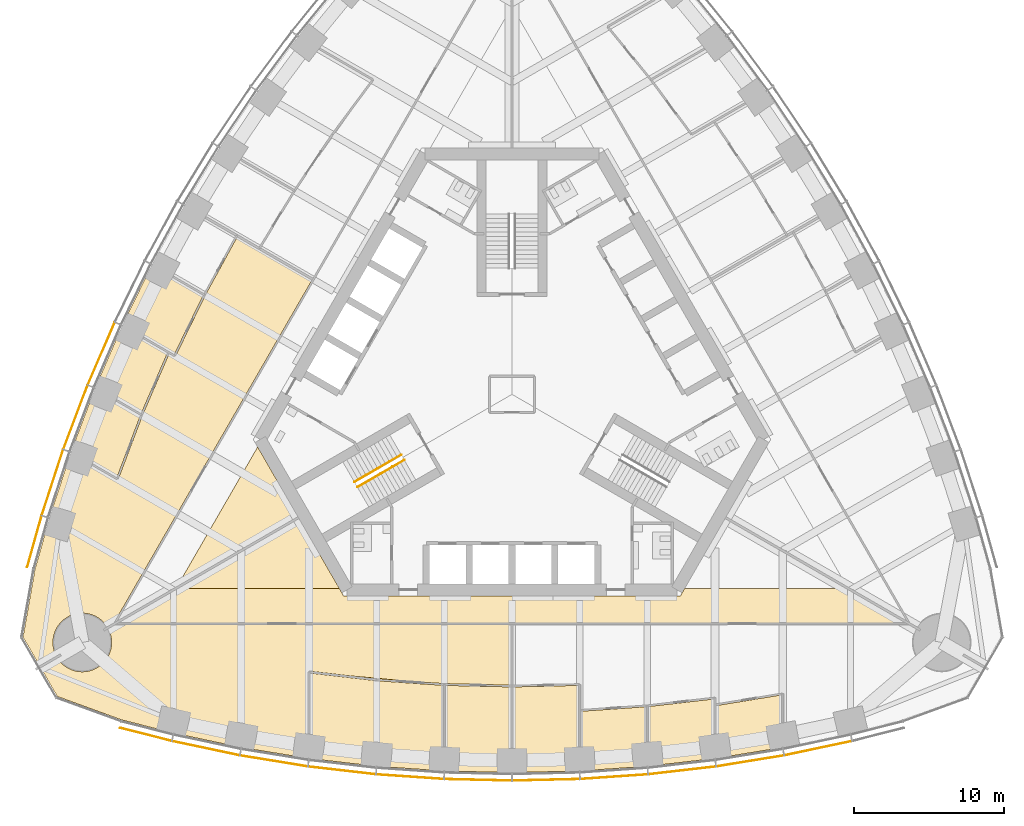
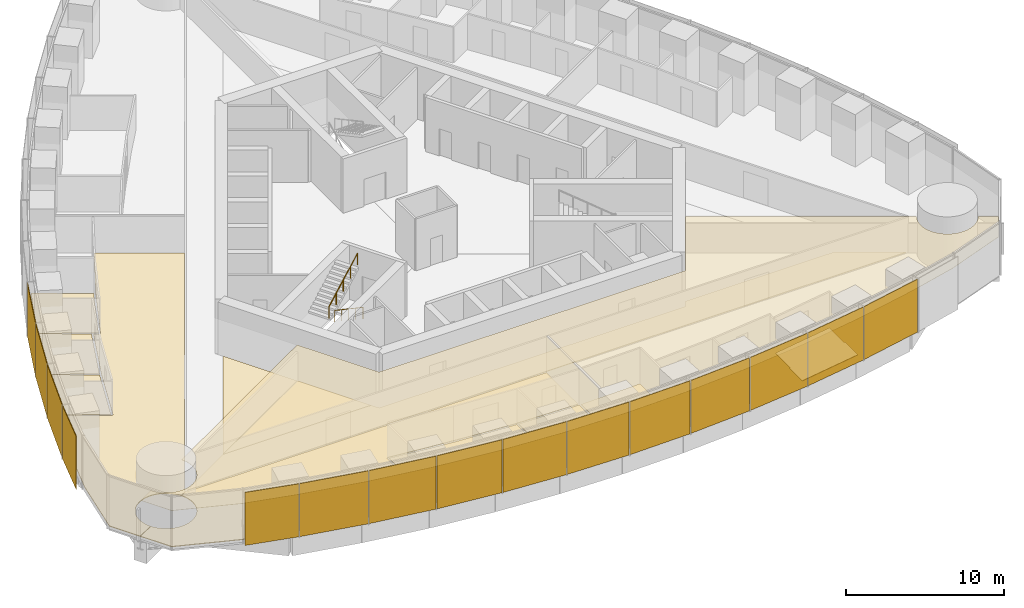
# One storey, part 15 of 19: 15 coverings, 15 shading devices, 2 railings.
"""IFC4 building model written with IfcOpenShell, lengths in metres."""

from ifc_helpers import new_model, si_unit, direction, frame, origin, origin_2d, place, context, subcontext, project, spatial, polyline, rectangle, circle, outline, extrude, material, layer, layer_set, type_object, element, save


model = new_model("IFC4")

# Units and contexts
model_context = context("Model", 3, precision=1e-05, world=origin(), true_north=direction((0.0, 1.0)))
body_context = subcontext(model_context, "Body", "Model", "MODEL_VIEW")
ifc_project = project(units=[si_unit("LENGTHUNIT", "METRE"), si_unit("AREAUNIT", "SQUARE_METRE"), si_unit("VOLUMEUNIT", "CUBIC_METRE"), si_unit("PLANEANGLEUNIT", "RADIAN"), si_unit("MASSUNIT", "GRAM", prefix="KILO")], contexts=[model_context])

# Site, building, storey
site_placement = place(None, origin())
site = spatial("IfcSite", under=ifc_project, at=site_placement, CompositionType="ELEMENT")
building_placement = place(site_placement, origin())
building = spatial("IfcBuilding", under=site, at=building_placement, Name="Trefoil Bronze Tower", CompositionType="ELEMENT")
storey_placement = place(building_placement, frame((0.0, 0.0, 193.89990234375)))
storey = spatial("IfcBuildingStorey", under=building, at=storey_placement, Name="L44", CompositionType="ELEMENT", Elevation=193.89990234375)

# Shading devices
ifc_material_1 = material(Name="Perforated bronze sheet", Category="bronze")
ifc_layer_1 = layer(ifc_material_1, 0.0400390625)
ifc_layer_set_1 = layer_set([ifc_layer_1], Name="Bronze solar screen panel")
shading_device_type = type_object("IfcShadingDeviceType", Name="Bronze solar screen panel", PredefinedType="SHUTTER", material=ifc_layer_set_1)
shading_device_1_placement = place(storey_placement, frame((-24.360107421875, -22.614501953125, 0.050048828125), z_axis=(0.0, 0.0, 1.0), x_axis=(0.968934035393, -0.247319297786, 0.0)))
element("IfcShadingDevice", 1, at=shading_device_1_placement, inside=storey, type_object=shading_device_type, Name="Solar screen CW-A L44 F1 bay 1", PredefinedType="SHUTTER", context=body_context, shape_type="SweptSolid", body=[
    extrude(rectangle(XDim=3.53369140625, YDim=0.0400390625, at=origin_2d()), origin(), (0.0, 0.0, 1.0), 4.10009765625),
])
shading_device_2_placement = place(storey_placement, frame((-20.361572265625, -23.535888671875, 0.050048828125), z_axis=(0.0, 0.0, 1.0), x_axis=(0.978394335897, -0.20674748725, 0.0)))
element("IfcShadingDevice", 2, at=shading_device_2_placement, inside=storey, type_object=shading_device_type, Name="Solar screen CW-A L44 F1 bay 2", PredefinedType="SHUTTER", context=body_context, shape_type="SweptSolid", body=[
    extrude(rectangle(XDim=4.5693359375, YDim=0.0400390625, at=origin_2d()), origin(), (0.0, 0.0, 1.0), 4.10009765625),
])
shading_device_3_placement = place(storey_placement, frame((-15.8369140625, -24.382568359375, 0.050048828125), z_axis=(0.0, 0.0, 1.0), x_axis=(0.986986549528, -0.160802832848, 0.0)))
element("IfcShadingDevice", 3, at=shading_device_3_placement, inside=storey, type_object=shading_device_type, Name="Solar screen CW-A L44 F1 bay 3", PredefinedType="SHUTTER", context=body_context, shape_type="SweptSolid", body=[
    extrude(rectangle(XDim=4.529296875, YDim=0.0400390625, at=origin_2d()), origin(), (0.0, 0.0, 1.0), 4.10009765625),
])
shading_device_4_placement = place(storey_placement, frame((-11.31201171875, -25.0126953125, 0.050048828125), z_axis=(0.0, 0.0, 1.0), x_axis=(0.993381831741, -0.114858767043, 0.0)))
element("IfcShadingDevice", 4, at=shading_device_4_placement, inside=storey, type_object=shading_device_type, Name="Solar screen CW-A L44 F1 bay 4", PredefinedType="SHUTTER", context=body_context, shape_type="SweptSolid", body=[
    extrude(rectangle(XDim=4.5, YDim=0.0400390625, at=origin_2d()), origin(), (0.0, 0.0, 1.0), 4.10009765625),
])
shading_device_5_placement = place(storey_placement, frame((-6.787109375, -25.430419921875, 0.050048828125), z_axis=(0.0, 0.0, 1.0), x_axis=(0.99762252804, -0.068915103905, 0.0)))
element("IfcShadingDevice", 5, at=shading_device_5_placement, inside=storey, type_object=shading_device_type, Name="Solar screen CW-A L44 F1 bay 5", PredefinedType="SHUTTER", context=body_context, shape_type="SweptSolid", body=[
    extrude(rectangle(XDim=4.480712890625, YDim=0.0400390625, at=origin_2d()), origin(), (0.0, 0.0, 1.0), 4.10009765625),
])
for number, where, z_axis, x_axis, name in (
    (6, (-2.262451171875, -25.638671875, 0.050048828125), (0.0, 0.0, 1.0), (0.999736116243, -0.022971675577, 0.0), "Solar screen CW-A L44 F1 bay 6"),
    (7, (2.262451171875, -25.638671875, 0.050048828125), (0.0, 0.0, 1.0), (0.999736116243, 0.022971675577, 0.0), "Solar screen CW-A L44 F1 bay 7"),
):
    element("IfcShadingDevice", number, at=place(storey_placement, frame(where, z_axis=z_axis, x_axis=x_axis)), inside=storey, type_object=shading_device_type, Name=name, PredefinedType="SHUTTER", context=body_context, shape_type="SweptSolid", body=[
        extrude(rectangle(XDim=4.47119140625, YDim=0.0400390625, at=origin_2d()), origin(), (0.0, 0.0, 1.0), 4.10009765625),
    ])
shading_device_6_placement = place(storey_placement, frame((6.787109375, -25.430419921875, 0.050048828125), z_axis=(0.0, 0.0, 1.0), x_axis=(0.99762252804, 0.068915103905, 0.0)))
element("IfcShadingDevice", 8, at=shading_device_6_placement, inside=storey, type_object=shading_device_type, Name="Solar screen CW-A L44 F1 bay 8", PredefinedType="SHUTTER", context=body_context, shape_type="SweptSolid", body=[
    extrude(rectangle(XDim=4.480712890625, YDim=0.0400390625, at=origin_2d()), origin(), (0.0, 0.0, 1.0), 4.10009765625),
])
shading_device_7_placement = place(storey_placement, frame((11.31201171875, -25.0126953125, 0.050048828125), z_axis=(0.0, 0.0, 1.0), x_axis=(0.993381831741, 0.114858767043, 0.0)))
element("IfcShadingDevice", 9, at=shading_device_7_placement, inside=storey, type_object=shading_device_type, Name="Solar screen CW-A L44 F1 bay 9", PredefinedType="SHUTTER", context=body_context, shape_type="SweptSolid", body=[
    extrude(rectangle(XDim=4.5, YDim=0.0400390625, at=origin_2d()), origin(), (0.0, 0.0, 1.0), 4.10009765625),
])
shading_device_8_placement = place(storey_placement, frame((15.8369140625, -24.382568359375, 0.050048828125), z_axis=(0.0, 0.0, 1.0), x_axis=(0.986986549528, 0.160802832848, 0.0)))
element("IfcShadingDevice", 10, at=shading_device_8_placement, inside=storey, type_object=shading_device_type, Name="Solar screen CW-A L44 F1 bay 10", PredefinedType="SHUTTER", context=body_context, shape_type="SweptSolid", body=[
    extrude(rectangle(XDim=4.529296875, YDim=0.0400390625, at=origin_2d()), origin(), (0.0, 0.0, 1.0), 4.10009765625),
])
shading_device_9_placement = place(storey_placement, frame((20.361572265625, -23.535888671875, 0.050048828125), z_axis=(0.0, 0.0, 1.0), x_axis=(0.978394335897, 0.20674748725, 0.0)))
element("IfcShadingDevice", 11, at=shading_device_9_placement, inside=storey, type_object=shading_device_type, Name="Solar screen CW-A L44 F1 bay 11", PredefinedType="SHUTTER", context=body_context, shape_type="SweptSolid", body=[
    extrude(rectangle(XDim=4.5693359375, YDim=0.0400390625, at=origin_2d()), origin(), (0.0, 0.0, 1.0), 4.10009765625),
])
shading_device_10_placement = place(storey_placement, frame((-27.317626953125, 2.709716796875, 0.050048828125), z_axis=(0.0, 0.0, 1.0), x_axis=(-0.397220305764, -0.917723285467, 0.0)))
element("IfcShadingDevice", 12, at=shading_device_10_placement, inside=storey, type_object=shading_device_type, Name="Solar screen CW-A L44 F3 bay 9", PredefinedType="SHUTTER", context=body_context, shape_type="SweptSolid", body=[
    extrude(rectangle(XDim=4.5, YDim=0.0400390625, at=origin_2d()), origin(), (0.0, 0.0, 1.0), 4.10009765625),
])
shading_device_11_placement = place(storey_placement, frame((-29.0341796875, -1.52392578125, 0.050048828125), z_axis=(0.0, 0.0, 1.0), x_axis=(-0.354233936517, -0.935156841508, 0.0)))
element("IfcShadingDevice", 13, at=shading_device_11_placement, inside=storey, type_object=shading_device_type, Name="Solar screen CW-A L44 F3 bay 10", PredefinedType="SHUTTER", context=body_context, shape_type="SweptSolid", body=[
    extrude(rectangle(XDim=4.529296875, YDim=0.0400390625, at=origin_2d()), origin(), (0.0, 0.0, 1.0), 4.10009765625),
])
shading_device_12_placement = place(storey_placement, frame((-30.5634765625, -5.86572265625, 0.050048828125), z_axis=(0.0, 0.0, 1.0), x_axis=(-0.310148591821, -0.950688093431, 0.0)))
element("IfcShadingDevice", 14, at=shading_device_12_placement, inside=storey, type_object=shading_device_type, Name="Solar screen CW-A L44 F3 bay 11", PredefinedType="SHUTTER", context=body_context, shape_type="SweptSolid", body=[
    extrude(rectangle(XDim=4.5693359375, YDim=0.0400390625, at=origin_2d()), origin(), (0.0, 0.0, 1.0), 4.10009765625),
])
shading_device_13_placement = place(storey_placement, frame((-31.764892578125, -9.7890625, 0.050048828125), z_axis=(0.0, 0.0, 1.0), x_axis=(-0.270282222968, -0.962781138134, 0.0)))
element("IfcShadingDevice", 15, at=shading_device_13_placement, inside=storey, type_object=shading_device_type, Name="Solar screen CW-A L44 F3 bay 12", PredefinedType="SHUTTER", context=body_context, shape_type="SweptSolid", body=[
    extrude(rectangle(XDim=3.53369140625, YDim=0.0400390625, at=origin_2d()), origin(), (0.0, 0.0, 1.0), 4.10009765625),
])

# Railings
ifc_material_2 = material(Name="Steel handrail", Category="steel")
railing_type = type_object("IfcRailingType", Name="Handrail 900", PredefinedType="HANDRAIL", material=ifc_material_2)
railing_1_placement = place(storey_placement, frame((-7.166015625, -4.3681640625, 0.16162109375)))
element("IfcRailing", 16, at=railing_1_placement, inside=storey, type_object=railing_type, Name="Handrail ST3 flight 1 L44", PredefinedType="HANDRAIL", context=body_context, shape_type="SweptSolid", body=[
    extrude(circle(Radius=0.02392578125, at=origin_2d()), frame((0.0, 0.0, 0.8759765625), z_axis=(-0.76250339821, -0.440245697338, 0.474101564745), x_axis=(0.500012057535, -0.866018442252, 0.0)), (0.0, 0.0, 1.0), 4.088623046875),
    extrude(circle(Radius=0.02099609375, at=origin_2d()), origin(), (0.0, 0.0, 1.0), 0.851806640625),
    extrude(circle(Radius=0.02099609375, at=origin_2d()), frame((-0.779296875, -0.449951171875, 0.484619140625)), (0.0, 0.0, 1.0), 0.851806640625),
    extrude(circle(Radius=0.02099609375, at=origin_2d()), frame((-1.558837890625, -0.89990234375, 0.96923828125)), (0.0, 0.0, 1.0), 0.851806640625),
    extrude(circle(Radius=0.02099609375, at=origin_2d()), frame((-2.33837890625, -1.35009765625, 1.453857421875)), (0.0, 0.0, 1.0), 0.851806640625),
    extrude(circle(Radius=0.02099609375, at=origin_2d()), frame((-3.11767578125, -1.800048828125, 1.9384765625)), (0.0, 0.0, 1.0), 0.851806640625),
])
railing_2_placement = place(storey_placement, frame((-10.483642578125, -5.82177734375, 2.26171875)))
element("IfcRailing", 17, at=railing_2_placement, inside=storey, type_object=railing_type, Name="Handrail ST3 flight 2 L44", PredefinedType="HANDRAIL", context=body_context, shape_type="SweptSolid", body=[
    extrude(circle(Radius=0.02392578125, at=origin_2d()), frame((0.0, 0.0, 0.8759765625), z_axis=(0.76250339821, 0.440245697338, 0.474101564745), x_axis=(-0.500012057535, 0.866018442252, 0.0)), (0.0, 0.0, 1.0), 4.088623046875),
    extrude(circle(Radius=0.02099609375, at=origin_2d()), origin(), (0.0, 0.0, 1.0), 0.851806640625),
    extrude(circle(Radius=0.02099609375, at=origin_2d()), frame((0.779296875, 0.449951171875, 0.484619140625)), (0.0, 0.0, 1.0), 0.851806640625),
    extrude(circle(Radius=0.02099609375, at=origin_2d()), frame((1.558837890625, 0.89990234375, 0.96923828125)), (0.0, 0.0, 1.0), 0.851806640625),
    extrude(circle(Radius=0.02099609375, at=origin_2d()), frame((2.33837890625, 1.35009765625, 1.453857421875)), (0.0, 0.0, 1.0), 0.851806640625),
    extrude(circle(Radius=0.02099609375, at=origin_2d()), frame((3.11767578125, 1.800048828125, 1.9384765625)), (0.0, 0.0, 1.0), 0.851806640625),
])

# Coverings
ifc_material_3 = material(Name="Acoustic ceiling panels", Category="mineral fibre")
ifc_layer_2 = layer(ifc_material_3, 0.02001953125)
ifc_layer_set_2 = layer_set([ifc_layer_2], Name="Office ceiling 20")
covering_type_1 = type_object("IfcCoveringType", Name="Office ceiling 20", PredefinedType="CEILING", material=ifc_layer_set_2)
covering_1_placement = place(storey_placement, frame((0.0, 0.0, 2.900146484375)))
element("IfcCovering", 18, at=covering_1_placement, inside=storey, type_object=covering_type_1, Name="Ceiling L44 Open-plan office F1", PredefinedType="CEILING", context=body_context, shape_type="SweptSolid", body=[
    extrude(outline(polyline([(-30.2001953125, -17.58349609375), (-30.14501953125, -17.66162109375), (-30.086181640625, -17.737060546875), (-30.023681640625, -17.8095703125), (-29.957763671875, -17.87890625), (-29.888427734375, -17.94482421875), (-29.81591796875, -18.00732421875), (-29.740478515625, -18.06640625), (-29.662109375, -18.121337890625), (-29.581298828125, -18.172607421875), (-29.498046875, -18.2197265625), (-29.41259765625, -18.2626953125), (-29.3251953125, -18.301513671875), (-29.23583984375, -18.3359375), (-29.14501953125, -18.365966796875), (-29.052490234375, -18.3916015625), (-28.959228515625, -18.41259765625), (-28.864990234375, -18.428955078125), (-28.77001953125, -18.440673828125), (-28.674560546875, -18.44775390625), (-28.578857421875, -18.449951171875), (-28.483154296875, -18.44775390625), (-28.3876953125, -18.440673828125), (-28.292724609375, -18.428955078125), (-28.198486328125, -18.41259765625), (-28.10498046875, -18.3916015625), (-28.0126953125, -18.365966796875), (-27.921875, -18.3359375), (-27.83251953125, -18.301513671875), (-27.7451171875, -18.2626953125), (-27.65966796875, -18.2197265625), (-27.576416015625, -18.172607421875), (-27.49560546875, -18.121337890625), (-27.417236328125, -18.06640625), (-27.341796875, -18.00732421875), (-27.269287109375, -17.94482421875), (-27.199951171875, -17.87890625), (-27.134033203125, -17.8095703125), (-27.071533203125, -17.737060546875), (-27.0126953125, -17.66162109375), (-26.95751953125, -17.58349609375), (-26.90625, -17.50244140625), (-26.859130859375, -17.419189453125), (-26.816162109375, -17.333740234375), (-26.77734375, -17.24609375), (-26.742919921875, -17.156982421875), (-26.712890625, -17.066162109375), (-26.687255859375, -16.973876953125), (-26.666259765625, -16.88037109375), (-26.64990234375, -16.7861328125), (-26.63818359375, -16.691162109375), (-26.631103515625, -16.595703125), (-26.62890625, -16.5), (-26.631103515625, -16.404296875), (-26.63818359375, -16.308837890625), (-26.64990234375, -16.2138671875), (-26.666259765625, -16.11962890625), (-26.687255859375, -16.026123046875), (-26.712890625, -15.933837890625), (-26.742919921875, -15.843017578125), (-26.77734375, -15.75390625), (-26.816162109375, -15.666259765625), (-26.859130859375, -15.580810546875), (-26.884765625, -15.535400390625), (-14.19970703125, -8.205322265625), (-11.20068359375, -13.39990234375), (11.20068359375, -13.39990234375), (14.19970703125, -8.205322265625), (26.884765625, -15.535400390625), (26.859130859375, -15.580810546875), (26.816162109375, -15.666259765625), (26.77734375, -15.75390625), (26.742919921875, -15.843017578125), (26.712890625, -15.933837890625), (26.687255859375, -16.026123046875), (26.666259765625, -16.11962890625), (26.64990234375, -16.2138671875), (26.63818359375, -16.308837890625), (26.631103515625, -16.404296875), (26.62890625, -16.5), (26.631103515625, -16.595703125), (26.63818359375, -16.691162109375), (26.64990234375, -16.7861328125), (26.666259765625, -16.88037109375), (26.687255859375, -16.973876953125), (26.712890625, -17.066162109375), (26.742919921875, -17.156982421875), (26.77734375, -17.24609375), (26.816162109375, -17.333740234375), (26.859130859375, -17.419189453125), (26.90625, -17.50244140625), (26.95751953125, -17.58349609375), (27.0126953125, -17.66162109375), (27.071533203125, -17.737060546875), (27.134033203125, -17.8095703125), (27.199951171875, -17.87890625), (27.269287109375, -17.94482421875), (27.341796875, -18.00732421875), (27.417236328125, -18.06640625), (27.49560546875, -18.121337890625), (27.576416015625, -18.172607421875), (27.65966796875, -18.2197265625), (27.7451171875, -18.2626953125), (27.83251953125, -18.301513671875), (27.921875, -18.3359375), (28.0126953125, -18.365966796875), (28.10498046875, -18.3916015625), (28.198486328125, -18.41259765625), (28.292724609375, -18.428955078125), (28.3876953125, -18.440673828125), (28.483154296875, -18.44775390625), (28.578857421875, -18.449951171875), (28.674560546875, -18.44775390625), (28.77001953125, -18.440673828125), (28.864990234375, -18.428955078125), (28.959228515625, -18.41259765625), (29.052490234375, -18.3916015625), (29.14501953125, -18.365966796875), (29.23583984375, -18.3359375), (29.3251953125, -18.301513671875), (29.41259765625, -18.2626953125), (29.498046875, -18.2197265625), (29.581298828125, -18.172607421875), (29.662109375, -18.121337890625), (29.740478515625, -18.06640625), (29.81591796875, -18.00732421875), (29.888427734375, -17.94482421875), (29.957763671875, -17.87890625), (30.023681640625, -17.8095703125), (30.086181640625, -17.737060546875), (30.14501953125, -17.66162109375), (30.2001953125, -17.58349609375), (30.2607421875, -17.486083984375), (31.37158203125, -18.1279296875), (30.23828125, -20.0908203125), (25.952880859375, -21.650634765625), (22.5, -22.531982421875), (18.0, -23.48291015625), (13.5, -24.216064453125), (9.0, -24.736328125), (4.5, -25.047119140625), (0.0, -25.150634765625), (-4.5, -25.047119140625), (-9.0, -24.736328125), (-13.5, -24.216064453125), (-18.0, -23.48291015625), (-22.5, -22.531982421875), (-25.952880859375, -21.650634765625), (-30.23828125, -20.0908203125), (-31.37158203125, -18.1279296875), (-30.2607421875, -17.486083984375), (-30.2001953125, -17.58349609375)])), origin(), (0.0, 0.0, 1.0), 0.02001953125),
])
ifc_material_4 = material(Name="Raised access floor panels", Category="steel")
ifc_layer_3 = layer(ifc_material_4, 0.050048828125)
ifc_layer_set_3 = layer_set([ifc_layer_3], Name="Raised access floor 150")
covering_type_2 = type_object("IfcCoveringType", Name="Raised access floor 150", PredefinedType="FLOORING", material=ifc_layer_set_3)
covering_2_placement = place(storey_placement, frame((0.0, 0.0, 0.10009765625)))
element("IfcCovering", 19, at=covering_2_placement, inside=storey, type_object=covering_type_2, Name="Raised floor L44 Kitchen and breakout F1", PredefinedType="FLOORING", context=body_context, shape_type="SweptSolid", body=[
    extrude(outline(polyline([(-9.0, -24.736328125), (-13.5, -24.216064453125), (-13.5, -22.570556640625), (-13.43994140625, -22.570556640625), (-13.43994140625, -18.533447265625), (-9.0068359375, -19.0458984375), (-9.0, -18.986328125), (-9.004150390625, -19.046142578125), (-4.56005859375, -19.353271484375), (-4.56005859375, -23.41552734375), (-4.5, -23.41552734375), (-4.5, -25.047119140625), (-9.0, -24.736328125)])), origin(), (0.0, 0.0, 1.0), 0.050048828125),
])
covering_3_placement = place(storey_placement, frame((0.0, 0.0, 0.10009765625)))
element("IfcCovering", 20, at=covering_3_placement, inside=storey, type_object=covering_type_2, Name="Raised floor L44 Meeting room F1", PredefinedType="FLOORING", context=body_context, shape_type="SweptSolid", body=[
    extrude(outline(polyline([(0.0, -25.150634765625), (-4.5, -25.047119140625), (-4.5, -23.41552734375), (-4.43994140625, -23.41552734375), (-4.43994140625, -19.358642578125), (-0.074951171875, -19.458984375), (-0.074951171875, -23.5205078125), (0.0, -23.5205078125), (0.0, -25.150634765625)])), origin(), (0.0, 0.0, 1.0), 0.050048828125),
])
covering_4_placement = place(storey_placement, frame((0.0, 0.0, 0.10009765625)))
element("IfcCovering", 21, at=covering_4_placement, inside=storey, type_object=covering_type_2, Name="Raised floor L44 Meeting room F1", PredefinedType="FLOORING", context=body_context, shape_type="SweptSolid", body=[
    extrude(outline(polyline([(4.5, -25.047119140625), (0.0, -25.150634765625), (0.0, -23.5205078125), (0.074951171875, -23.5205078125), (0.074951171875, -19.458984375), (4.43994140625, -19.358642578125), (4.43994140625, -23.41552734375), (4.5, -23.41552734375), (4.5, -25.047119140625)])), origin(), (0.0, 0.0, 1.0), 0.050048828125),
])
covering_5_placement = place(storey_placement, frame((0.0, 0.0, 0.10009765625)))
element("IfcCovering", 22, at=covering_5_placement, inside=storey, type_object=covering_type_2, Name="Raised floor L44 Focus room F1", PredefinedType="FLOORING", context=body_context, shape_type="SweptSolid", body=[
    extrude(outline(polyline([(9.0, -24.736328125), (4.5, -25.047119140625), (4.5, -23.41552734375), (4.56005859375, -23.41552734375), (4.56005859375, -21.078125), (8.93994140625, -20.775634765625), (8.93994140625, -23.099609375), (9.0, -23.099609375), (9.0, -24.736328125)])), origin(), (0.0, 0.0, 1.0), 0.050048828125),
])
covering_6_placement = place(storey_placement, frame((0.0, 0.0, 0.10009765625)))
element("IfcCovering", 23, at=covering_6_placement, inside=storey, type_object=covering_type_2, Name="Raised floor L44 Focus room F1", PredefinedType="FLOORING", context=body_context, shape_type="SweptSolid", body=[
    extrude(outline(polyline([(13.5, -24.216064453125), (9.0, -24.736328125), (9.0, -23.099609375), (9.06005859375, -23.099609375), (9.06005859375, -20.764892578125), (13.43994140625, -20.25830078125), (13.43994140625, -22.570556640625), (13.5, -22.570556640625), (13.5, -24.216064453125)])), origin(), (0.0, 0.0, 1.0), 0.050048828125),
])
covering_7_placement = place(storey_placement, frame((0.0, 0.0, 0.10009765625)))
element("IfcCovering", 24, at=covering_7_placement, inside=storey, type_object=covering_type_2, Name="Raised floor L44 Print and store room F1", PredefinedType="FLOORING", context=body_context, shape_type="SweptSolid", body=[
    extrude(outline(polyline([(18.0, -23.48291015625), (13.5, -24.216064453125), (13.5, -22.570556640625), (13.56005859375, -22.570556640625), (13.56005859375, -20.7021484375), (17.93994140625, -19.988525390625), (17.93994140625, -21.82470703125), (18.0, -21.82470703125), (18.0, -23.48291015625)])), origin(), (0.0, 0.0, 1.0), 0.050048828125),
])
covering_8_placement = place(storey_placement, frame((0.0, 0.0, 0.10009765625)))
element("IfcCovering", 25, at=covering_8_placement, inside=storey, type_object=covering_type_2, Name="Raised floor L44 Corridor F1", PredefinedType="FLOORING", context=body_context, shape_type="SweptSolid", body=[
    extrude(outline(polyline([(-26.304443359375, -15.199951171875), (-22.32421875, -12.89990234375), (-11.4892578125, -12.89990234375), (-11.20068359375, -13.39990234375), (11.20068359375, -13.39990234375), (11.4892578125, -12.89990234375), (22.32421875, -12.89990234375), (26.304443359375, -15.199951171875), (-26.304443359375, -15.199951171875)])), origin(), (0.0, 0.0, 1.0), 0.050048828125),
])
covering_9_placement = place(storey_placement, frame((0.0, 0.0, 0.10009765625)))
element("IfcCovering", 26, at=covering_9_placement, inside=storey, type_object=covering_type_2, Name="Raised floor L44 Open-plan office F1", PredefinedType="FLOORING", context=body_context, shape_type="SweptSolid", body=[
    extrude(outline(polyline([(-26.77734375, -15.75390625), (-26.816162109375, -15.666259765625), (-26.859130859375, -15.580810546875), (-26.884765625, -15.535400390625), (-26.398193359375, -15.254150390625), (-26.398193359375, -15.320068359375), (-0.074951171875, -15.320068359375), (-0.074951171875, -19.3388671875), (-4.497314453125, -19.2373046875), (-7.084228515625, -19.05859375), (-10.90478515625, -18.705810546875), (-13.4931640625, -18.406494140625), (-13.5, -18.466064453125), (-13.56005859375, -18.466064453125), (-13.56005859375, -22.570556640625), (-13.5, -22.570556640625), (-13.5, -24.216064453125), (-18.0, -23.48291015625), (-22.5, -22.531982421875), (-25.952880859375, -21.650634765625), (-30.23828125, -20.0908203125), (-31.37158203125, -18.1279296875), (-30.2607421875, -17.486083984375), (-30.2001953125, -17.58349609375), (-30.14501953125, -17.66162109375), (-30.086181640625, -17.737060546875), (-30.023681640625, -17.8095703125), (-29.957763671875, -17.87890625), (-29.888427734375, -17.94482421875), (-29.81591796875, -18.00732421875), (-29.740478515625, -18.06640625), (-29.662109375, -18.121337890625), (-29.581298828125, -18.172607421875), (-29.498046875, -18.2197265625), (-29.41259765625, -18.2626953125), (-29.3251953125, -18.301513671875), (-29.23583984375, -18.3359375), (-29.14501953125, -18.365966796875), (-29.052490234375, -18.3916015625), (-28.959228515625, -18.41259765625), (-28.864990234375, -18.428955078125), (-28.77001953125, -18.440673828125), (-28.674560546875, -18.44775390625), (-28.578857421875, -18.449951171875), (-28.483154296875, -18.44775390625), (-28.3876953125, -18.440673828125), (-28.292724609375, -18.428955078125), (-28.198486328125, -18.41259765625), (-28.10498046875, -18.3916015625), (-28.0126953125, -18.365966796875), (-27.921875, -18.3359375), (-27.83251953125, -18.301513671875), (-27.7451171875, -18.2626953125), (-27.65966796875, -18.2197265625), (-27.576416015625, -18.172607421875), (-27.49560546875, -18.121337890625), (-27.417236328125, -18.06640625), (-27.341796875, -18.00732421875), (-27.269287109375, -17.94482421875), (-27.199951171875, -17.87890625), (-27.134033203125, -17.8095703125), (-27.071533203125, -17.737060546875), (-27.0126953125, -17.66162109375), (-26.95751953125, -17.58349609375), (-26.90625, -17.50244140625), (-26.859130859375, -17.419189453125), (-26.816162109375, -17.333740234375), (-26.77734375, -17.24609375), (-26.742919921875, -17.156982421875), (-26.712890625, -17.066162109375), (-26.687255859375, -16.973876953125), (-26.666259765625, -16.88037109375), (-26.64990234375, -16.7861328125), (-26.63818359375, -16.691162109375), (-26.631103515625, -16.595703125), (-26.62890625, -16.5), (-26.631103515625, -16.404296875), (-26.63818359375, -16.308837890625), (-26.64990234375, -16.2138671875), (-26.666259765625, -16.11962890625), (-26.687255859375, -16.026123046875), (-26.712890625, -15.933837890625), (-26.742919921875, -15.843017578125), (-26.77734375, -15.75390625)])), origin(), (0.0, 0.0, 1.0), 0.050048828125),
])
covering_10_placement = place(storey_placement, frame((0.0, 0.0, 0.10009765625)))
element("IfcCovering", 27, at=covering_10_placement, inside=storey, type_object=covering_type_2, Name="Raised floor L44 Open-plan office F1", PredefinedType="FLOORING", context=body_context, shape_type="SweptSolid", body=[
    extrude(outline(polyline([(-14.19970703125, -8.205322265625), (-11.4892578125, -12.89990234375), (-22.32421875, -12.89990234375), (-14.19970703125, -8.205322265625)])), origin(), (0.0, 0.0, 1.0), 0.050048828125),
])
covering_11_placement = place(storey_placement, frame((0.0, 0.0, 0.10009765625)))
element("IfcCovering", 28, at=covering_11_placement, inside=storey, type_object=covering_type_2, Name="Raised floor L44 Focus room F3", PredefinedType="FLOORING", context=body_context, shape_type="SweptSolid", body=[
    extrude(outline(polyline([(-25.92236328125, 4.573974609375), (-23.94140625, 8.62646484375), (-22.5283203125, 7.810546875), (-22.558349609375, 7.7587890625), (-20.5341796875, 6.590087890625), (-22.46240234375, 2.6455078125), (-24.474609375, 3.8076171875), (-24.504638671875, 3.755615234375), (-25.92236328125, 4.573974609375)])), origin(), (0.0, 0.0, 1.0), 0.050048828125),
])
covering_12_placement = place(storey_placement, frame((0.0, 0.0, 0.10009765625)))
element("IfcCovering", 29, at=covering_12_placement, inside=storey, type_object=covering_type_2, Name="Raised floor L44 Print and store room F3", PredefinedType="FLOORING", context=body_context, shape_type="SweptSolid", body=[
    extrude(outline(polyline([(-27.7216796875, 0.416748046875), (-25.92236328125, 4.573974609375), (-24.504638671875, 3.755615234375), (-24.53466796875, 3.70361328125), (-22.911376953125, 2.76611328125), (-24.66259765625, -1.2802734375), (-26.2666015625, -0.354248046875), (-26.296630859375, -0.406005859375), (-27.7216796875, 0.416748046875)])), origin(), (0.0, 0.0, 1.0), 0.050048828125),
])
covering_13_placement = place(storey_placement, frame((0.0, 0.0, 0.10009765625)))
element("IfcCovering", 30, at=covering_13_placement, inside=storey, type_object=covering_type_2, Name="Raised floor L44 Comms room F3", PredefinedType="FLOORING", context=body_context, shape_type="SweptSolid", body=[
    extrude(outline(polyline([(-29.3369140625, -3.846923828125), (-27.7216796875, 0.416748046875), (-26.296630859375, -0.406005859375), (-26.32666015625, -0.4580078125), (-24.70849609375, -1.392333984375), (-26.280517578125, -5.542236328125), (-27.870849609375, -4.6240234375), (-27.90087890625, -4.676025390625), (-29.3369140625, -3.846923828125)])), origin(), (0.0, 0.0, 1.0), 0.050048828125),
])
covering_14_placement = place(storey_placement, frame((0.0, 0.0, 0.10009765625)))
element("IfcCovering", 31, at=covering_14_placement, inside=storey, type_object=covering_type_2, Name="Raised floor L44 Open-plan office F3", PredefinedType="FLOORING", context=body_context, shape_type="SweptSolid", body=[
    extrude(outline(polyline([(-31.385009765625, -18.1044921875), (-32.518310546875, -16.1416015625), (-31.7265625, -11.650634765625), (-30.76318359375, -8.219482421875), (-29.3369140625, -3.846923828125), (-27.90087890625, -4.676025390625), (-27.930908203125, -4.72802734375), (-26.279296875, -5.681396484375), (-26.24951171875, -5.62939453125), (-26.193359375, -5.65087890625), (-24.57861328125, -1.388427734375), (-22.806640625, 2.705810546875), (-22.466552734375, 2.509521484375), (-22.4365234375, 2.5615234375), (-22.3828125, 2.53515625), (-20.402587890625, 6.58642578125), (-18.279296875, 10.467041015625), (-13.304931640625, 7.594970703125), (-26.466552734375, -15.201416015625), (-26.40966796875, -15.234375), (-26.896240234375, -15.51513671875), (-26.95751953125, -15.41650390625), (-27.0126953125, -15.33837890625), (-27.071533203125, -15.262939453125), (-27.134033203125, -15.1904296875), (-27.199951171875, -15.12109375), (-27.269287109375, -15.05517578125), (-27.341796875, -14.99267578125), (-27.417236328125, -14.93359375), (-27.49560546875, -14.878662109375), (-27.576416015625, -14.827392578125), (-27.65966796875, -14.7802734375), (-27.7451171875, -14.7373046875), (-27.83251953125, -14.698486328125), (-27.921875, -14.6640625), (-28.0126953125, -14.634033203125), (-28.10498046875, -14.6083984375), (-28.198486328125, -14.58740234375), (-28.292724609375, -14.571044921875), (-28.3876953125, -14.559326171875), (-28.483154296875, -14.55224609375), (-28.578857421875, -14.550048828125), (-28.674560546875, -14.55224609375), (-28.77001953125, -14.559326171875), (-28.864990234375, -14.571044921875), (-28.959228515625, -14.58740234375), (-29.052490234375, -14.6083984375), (-29.14501953125, -14.634033203125), (-29.23583984375, -14.6640625), (-29.3251953125, -14.698486328125), (-29.41259765625, -14.7373046875), (-29.498046875, -14.7802734375), (-29.581298828125, -14.827392578125), (-29.662109375, -14.878662109375), (-29.740478515625, -14.93359375), (-29.81591796875, -14.99267578125), (-29.888427734375, -15.05517578125), (-29.957763671875, -15.12109375), (-30.023681640625, -15.1904296875), (-30.086181640625, -15.262939453125), (-30.14501953125, -15.33837890625), (-30.2001953125, -15.41650390625), (-30.25146484375, -15.49755859375), (-30.298583984375, -15.580810546875), (-30.341552734375, -15.666259765625), (-30.38037109375, -15.75390625), (-30.414794921875, -15.843017578125), (-30.44482421875, -15.933837890625), (-30.470458984375, -16.026123046875), (-30.491455078125, -16.11962890625), (-30.5078125, -16.2138671875), (-30.519287109375, -16.308837890625), (-30.526611328125, -16.404296875), (-30.52880859375, -16.5), (-30.526611328125, -16.595703125), (-30.519287109375, -16.691162109375), (-30.5078125, -16.7861328125), (-30.491455078125, -16.88037109375), (-30.470458984375, -16.973876953125), (-30.44482421875, -17.066162109375), (-30.414794921875, -17.156982421875), (-30.38037109375, -17.24609375), (-30.341552734375, -17.333740234375), (-30.298583984375, -17.419189453125), (-30.273681640625, -17.46337890625), (-31.385009765625, -18.1044921875)])), origin(), (0.0, 0.0, 1.0), 0.050048828125),
])
covering_15_placement = place(storey_placement, frame((0.0, 0.0, 0.10009765625)))
element("IfcCovering", 32, at=covering_15_placement, inside=storey, type_object=covering_type_2, Name="Raised floor L44 Open-plan office F3", PredefinedType="FLOORING", context=body_context, shape_type="SweptSolid", body=[
    extrude(outline(polyline([(-14.205810546875, -8.194580078125), (-22.333740234375, -12.88330078125), (-16.91650390625, -3.5), (-14.205810546875, -8.194580078125)])), origin(), (0.0, 0.0, 1.0), 0.050048828125),
])

save(model, "model.ifc")
